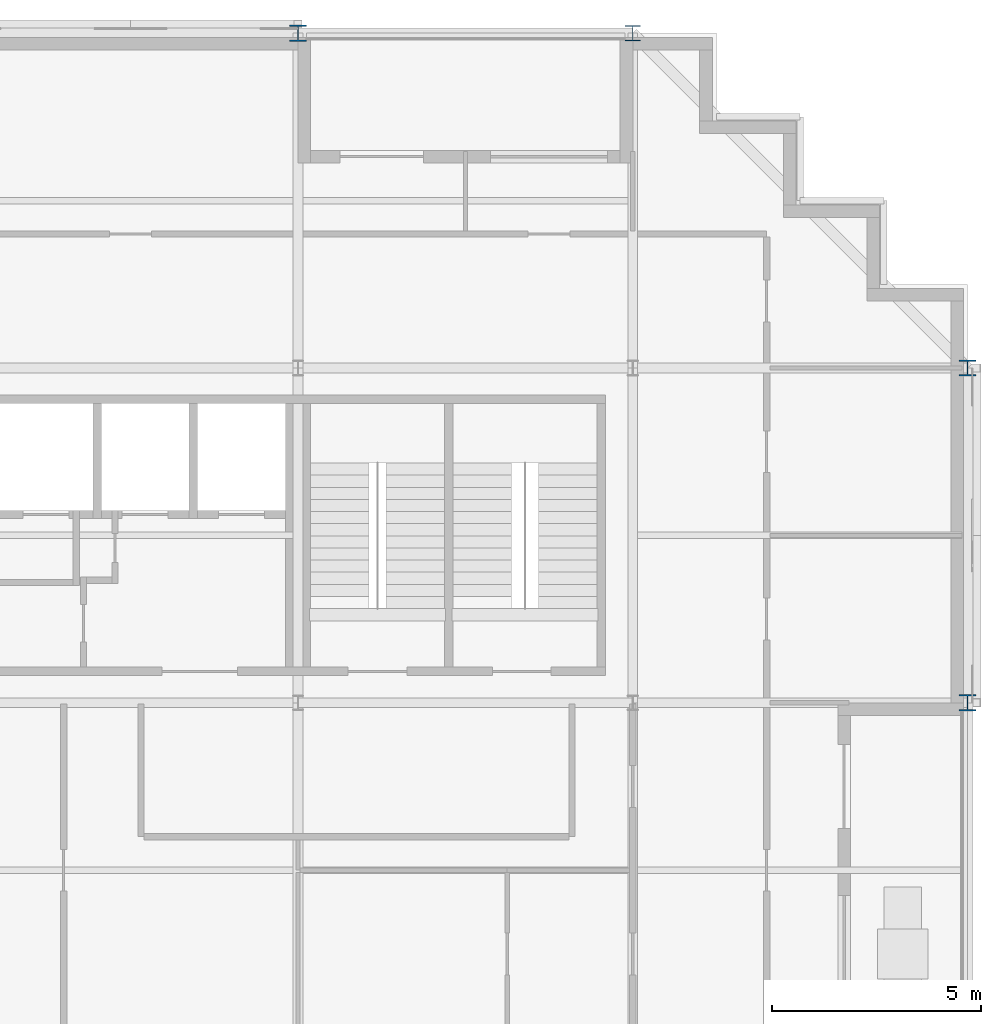
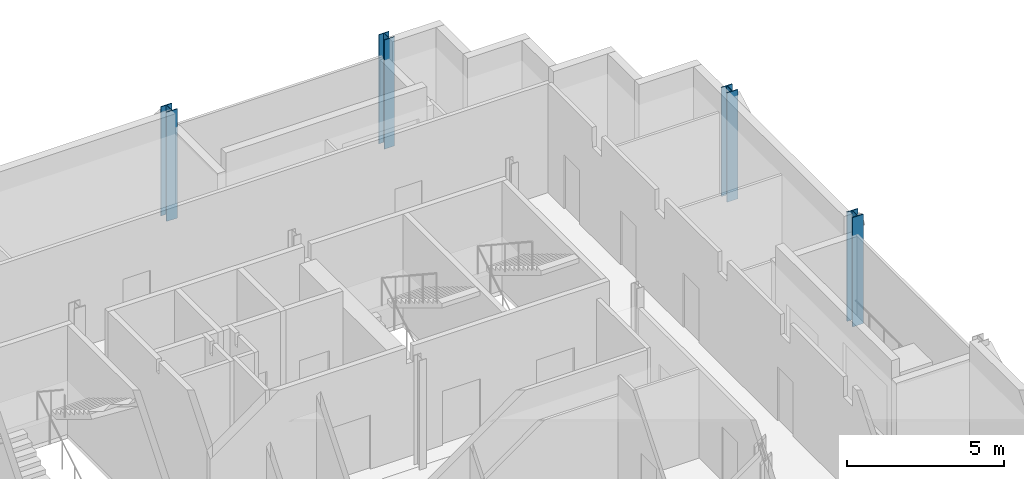
# One storey, part 3 of 15: 4 columns.
"""IFC4 building model written with IfcOpenShell, lengths in metres."""

from ifc_helpers import new_model, si_unit, direction, frame, origin, origin_2d, place, context, subcontext, project, spatial, i_section, extrude, material, material_profile, profile_set, type_object, element, save


model = new_model("IFC4")

# Units and contexts
model_context = context("Model", 3, precision=1e-05, world=origin(), true_north=direction((0.0, 1.0)))
body_context = subcontext(model_context, "Body", "Model", "MODEL_VIEW")
ifc_project = project(units=[si_unit("LENGTHUNIT", "METRE"), si_unit("AREAUNIT", "SQUARE_METRE"), si_unit("VOLUMEUNIT", "CUBIC_METRE"), si_unit("PLANEANGLEUNIT", "RADIAN"), si_unit("MASSUNIT", "GRAM", prefix="KILO")], contexts=[model_context])

# Site, building, storey
site_placement = place(None, origin())
site = spatial("IfcSite", under=ifc_project, at=site_placement, CompositionType="ELEMENT")
building_placement = place(site_placement, origin())
building = spatial("IfcBuilding", under=site, at=building_placement, Name="Immortelle Media Tower", CompositionType="ELEMENT")
storey_placement = place(building_placement, frame((0.0, 0.0, 92.0)))
storey = spatial("IfcBuildingStorey", under=building, at=storey_placement, Name="L17", CompositionType="ELEMENT", Elevation=92.0)

# Columns
ifc_material = material(Name="Steel ASTM A992 Gr 50", Category="steel")
ifc_material_profile_1 = material_profile(ifc_material, i_section(OverallWidth=0.373046875, OverallDepth=0.367919921875, WebThickness=0.014892578125, FlangeThickness=0.02392578125, at=origin_2d()), Name="W14x120")
ifc_profile_set_1 = profile_set([ifc_material_profile_1], Name="Steel ASTM A992 Gr 50")
column_type_1 = type_object("IfcColumnType", Name="W14x120 column", PredefinedType="COLUMN", material=ifc_profile_set_1)
column_placement = place(storey_placement, frame((40.0, 48.0, 0.0), z_axis=(0.0, 0.0, 1.0), x_axis=(1.0, 0.0, 0.0)))
element("IfcColumn", 1, at=column_placement, inside=storey, type_object=column_type_1, Name="Column 6/G", PredefinedType="COLUMN", context=body_context, shape_type="SweptSolid", body=[
    extrude(i_section(OverallWidth=0.373046875, OverallDepth=0.367919921875, WebThickness=0.014892578125, FlangeThickness=0.02392578125, at=origin_2d()), origin(), (0.0, 0.0, 1.0), 4.25),
])
ifc_material_profile_2 = material_profile(ifc_material, i_section(OverallWidth=0.39892578125, OverallDepth=0.385986328125, WebThickness=0.02099609375, FlangeThickness=0.032958984375, at=origin_2d()), Name="W14x176")
ifc_profile_set_2 = profile_set([ifc_material_profile_2], Name="Steel ASTM A992 Gr 50")
column_type_2 = type_object("IfcColumnType", Name="W14x176 column", PredefinedType="COLUMN", material=ifc_profile_set_2)
for number, where, z_axis, x_axis, name in (
    (2, (32.0, 48.0, 0.0), (0.0, 0.0, 1.0), (1.0, 0.0, 0.0), "Column 5/G"),
    (3, (48.0, 32.0, 0.0), (0.0, 0.0, 1.0), (1.0, 0.0, 0.0), "Column 7/E"),
    (4, (48.0, 40.0, 0.0), (0.0, 0.0, 1.0), (1.0, 0.0, 0.0), "Column 7/F"),
):
    element("IfcColumn", number, at=place(storey_placement, frame(where, z_axis=z_axis, x_axis=x_axis)), inside=storey, type_object=column_type_2, Name=name, PredefinedType="COLUMN", context=body_context, shape_type="SweptSolid", body=[
        extrude(i_section(OverallWidth=0.39892578125, OverallDepth=0.385986328125, WebThickness=0.02099609375, FlangeThickness=0.032958984375, at=origin_2d()), origin(), (0.0, 0.0, 1.0), 4.25),
    ])

save(model, "model.ifc")
